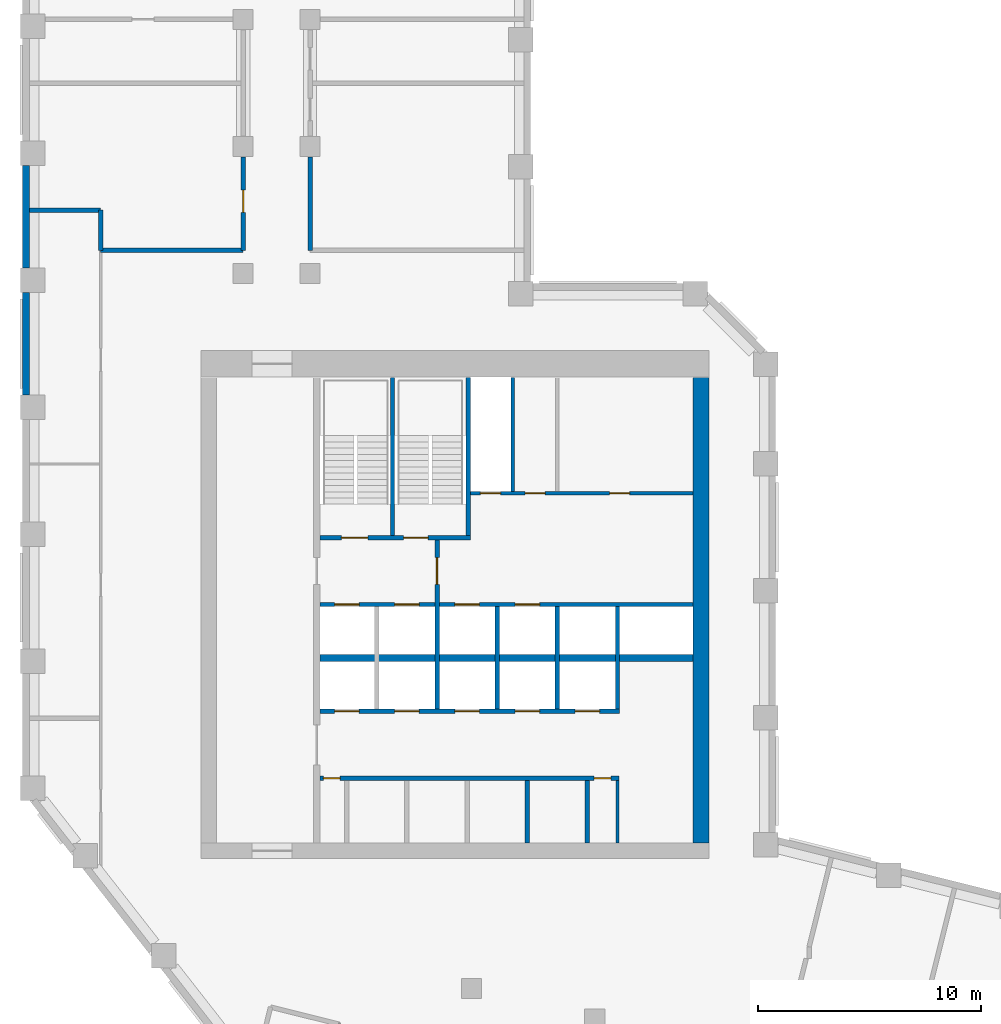
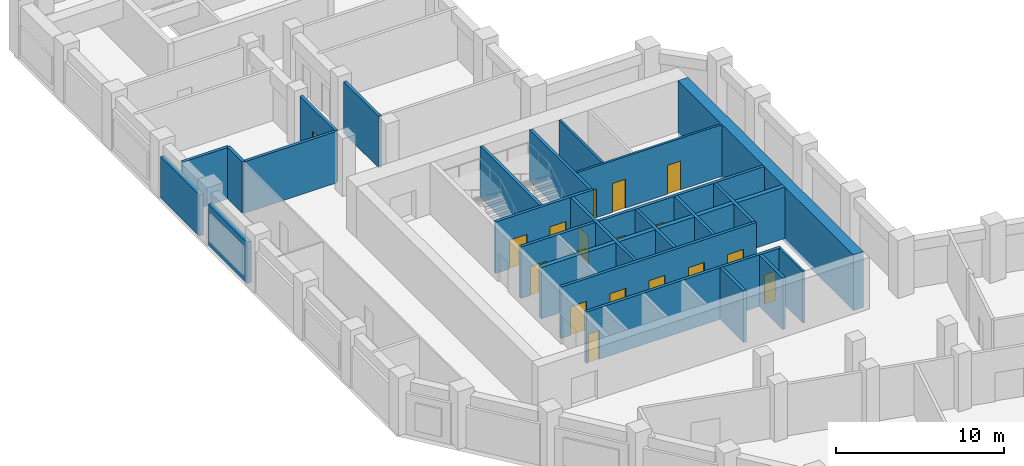
# One storey, part 4 of 8: 24 walls, 18 doors, 18 openings.
"""IFC4 building model written with IfcOpenShell, lengths in metres."""

from ifc_helpers import new_model, si_unit, direction, frame, frame_2d, origin, place, context, subcontext, project, spatial, rectangle, extrude, material, layer, layer_set, type_object, element, fill, save


model = new_model("IFC4")

# Units and contexts
model_context = context("Model", 3, precision=1e-05, world=origin(), true_north=direction((0.0, 1.0)))
body_context = subcontext(model_context, "Body", "Model", "MODEL_VIEW")
ifc_project = project(units=[si_unit("LENGTHUNIT", "METRE"), si_unit("AREAUNIT", "SQUARE_METRE"), si_unit("VOLUMEUNIT", "CUBIC_METRE"), si_unit("PLANEANGLEUNIT", "RADIAN"), si_unit("MASSUNIT", "GRAM", prefix="KILO")], contexts=[model_context])

# Site, building, storey
site_placement = place(None, origin())
site = spatial("IfcSite", under=ifc_project, at=site_placement, CompositionType="ELEMENT")
building_placement = place(site_placement, origin())
building = spatial("IfcBuilding", under=site, at=building_placement, Name="Meshkara Civic Tower", CompositionType="ELEMENT")
storey_placement = place(building_placement, frame((0.0, 0.0, 280.199951171875)))
storey = spatial("IfcBuildingStorey", under=building, at=storey_placement, Name="L64", CompositionType="ELEMENT", Elevation=280.199951171875)

# Wall, openings, doors
ifc_material_1 = material(Name="Blockwork", Category="masonry")
ifc_layer_1 = layer(ifc_material_1, 0.14990234375)
ifc_layer_set_1 = layer_set([ifc_layer_1], Name="Core partition 150")
wall_type_1 = type_object("IfcWallType", Name="Core partition 150", PredefinedType="PARTITIONING", material=ifc_layer_set_1)
wall_1_placement = place(storey_placement, frame((20.10009765625, 30.5, 0.0), z_axis=(0.0, 0.0, 1.0), x_axis=(1.0, 0.0, 0.0)))
wall_1 = element("IfcWall", 1, at=wall_1_placement, inside=storey, type_object=wall_type_1, Name="L64-C010", PredefinedType="PARTITIONING", context=body_context, shape_type="SweptSolid", body=[
    extrude(rectangle(XDim=10.0, YDim=0.14990234375, at=frame_2d((5.0, 0.0))), origin(), (0.0, 0.0, 1.0), 3.75),
])
opening_1_placement = place(wall_1_placement, frame((0.449951171875, 0.0, 0.0)))
opening_1 = element("IfcOpeningElement", 2, at=opening_1_placement, cuts=wall_1, Name="Opening L64-K012", PredefinedType="OPENING", context=body_context, shape_type="SweptSolid", body=[
    extrude(rectangle(XDim=0.89990234375, YDim=2.10009765625, at=frame_2d((0.449951171875, 1.050048828125))), frame((0.0, 0.0849609375, 0.0), z_axis=(0.0, -1.0, 0.0), x_axis=(1.0, 0.0, 0.0)), (0.0, 0.0, 1.0), 0.169921875),
])
opening_2_placement = place(wall_1_placement, frame((2.449951171875, 0.0, 0.0)))
opening_2 = element("IfcOpeningElement", 3, at=opening_2_placement, cuts=wall_1, Name="Opening L64-K013", PredefinedType="OPENING", context=body_context, shape_type="SweptSolid", body=[
    extrude(rectangle(XDim=0.89990234375, YDim=2.10009765625, at=frame_2d((0.449951171875, 1.050048828125))), frame((0.0, 0.0849609375, 0.0), z_axis=(0.0, -1.0, 0.0), x_axis=(1.0, 0.0, 0.0)), (0.0, 0.0, 1.0), 0.169921875),
])
opening_3_placement = place(wall_1_placement, frame((6.25, 0.0, 0.0)))
opening_3 = element("IfcOpeningElement", 4, at=opening_3_placement, cuts=wall_1, Name="Opening L64-K014", PredefinedType="OPENING", context=body_context, shape_type="SweptSolid", body=[
    extrude(rectangle(XDim=0.89990234375, YDim=2.10009765625, at=frame_2d((0.449951171875, 1.050048828125))), frame((0.0, 0.0849609375, 0.0), z_axis=(0.0, -1.0, 0.0), x_axis=(1.0, 0.0, 0.0)), (0.0, 0.0, 1.0), 0.169921875),
])
ifc_material_2 = material(Name="Timber door leaf in steel frame", Category="steel")
door_type_1 = type_object("IfcDoorType", Name="Core room door 900", OperationType="SINGLE_SWING_LEFT", PredefinedType="DOOR", material=ifc_material_2)
door_1_placement = place(opening_3_placement, origin())
door_1 = element("IfcDoor", 5, at=door_1_placement, inside=storey, type_object=door_type_1, Name="L64-K014", OperationType="SINGLE_SWING_RIGHT", OverallHeight=2.10009765625, OverallWidth=0.89990234375, PredefinedType="DOOR", context=body_context, shape_type="SweptSolid", body=[
    extrude(rectangle(XDim=0.89990234375, YDim=2.10009765625, at=frame_2d((0.449951171875, 1.050048828125))), frame((0.0, 0.02490234375, 0.0), z_axis=(0.0, -1.0, 0.0), x_axis=(1.0, 0.0, 0.0)), (0.0, 0.0, 1.0), 0.050048828125),
])
fill(opening_3, door_1)
ifc_material_3 = material(Name="Fire-rated door leaf in steel frame", Category="steel")
door_type_2 = type_object("IfcDoorType", Name="Riser door 900", OperationType="SINGLE_SWING_LEFT", PredefinedType="DOOR", material=ifc_material_3)
door_2_placement = place(opening_1_placement, origin())
door_2 = element("IfcDoor", 6, at=door_2_placement, inside=storey, type_object=door_type_2, Name="L64-K012", OperationType="SINGLE_SWING_RIGHT", OverallHeight=2.10009765625, OverallWidth=0.89990234375, PredefinedType="DOOR", context=body_context, shape_type="SweptSolid", body=[
    extrude(rectangle(XDim=0.89990234375, YDim=2.10009765625, at=frame_2d((0.449951171875, 1.050048828125))), frame((0.0, 0.02490234375, 0.0), z_axis=(0.0, -1.0, 0.0), x_axis=(1.0, 0.0, 0.0)), (0.0, 0.0, 1.0), 0.050048828125),
])
fill(opening_1, door_2)
ifc_material_4 = material(Name="Timber door leaf in steel frame", Category="steel")
door_type_3 = type_object("IfcDoorType", Name="WC door 900", OperationType="SINGLE_SWING_LEFT", PredefinedType="DOOR", material=ifc_material_4)
door_3_placement = place(opening_2_placement, origin())
door_3 = element("IfcDoor", 7, at=door_3_placement, inside=storey, type_object=door_type_3, Name="L64-K013", OperationType="SINGLE_SWING_LEFT", OverallHeight=2.10009765625, OverallWidth=0.89990234375, PredefinedType="DOOR", context=body_context, shape_type="SweptSolid", body=[
    extrude(rectangle(XDim=0.89990234375, YDim=2.10009765625, at=frame_2d((0.449951171875, 1.050048828125))), frame((0.0, 0.02490234375, 0.0), z_axis=(0.0, -1.0, 0.0), x_axis=(1.0, 0.0, 0.0)), (0.0, 0.0, 1.0), 0.050048828125),
])
fill(opening_2, door_3)

# Walls
wall_2_placement = place(storey_placement, frame((22.0, 30.574951171875, 0.0), z_axis=(0.0, 0.0, 1.0), x_axis=(0.0, 1.0, 0.0)))
element("IfcWall", 8, at=wall_2_placement, inside=storey, type_object=wall_type_1, Name="L64-C020", PredefinedType="PARTITIONING", context=body_context, shape_type="SweptSolid", body=[
    extrude(rectangle(XDim=5.125, YDim=0.14990234375, at=frame_2d((2.5625, 0.0))), origin(), (0.0, 0.0, 1.0), 3.75),
])
wall_3_placement = place(storey_placement, frame((26.699951171875, 14.800048828125, 0.0), z_axis=(0.0, 0.0, 1.0), x_axis=(0.0, 1.0, 0.0)))
element("IfcWall", 9, at=wall_3_placement, inside=storey, type_object=wall_type_1, Name="L64-C025", PredefinedType="PARTITIONING", context=body_context, shape_type="SweptSolid", body=[
    extrude(rectangle(XDim=2.800048828125, YDim=0.14990234375, at=frame_2d((1.39990234375, 0.0))), origin(), (0.0, 0.0, 1.0), 3.75),
])
ifc_material_5 = material(Name="Concrete C60", Category="concrete")
ifc_layer_2 = layer(ifc_material_5, 0.699951171875)
ifc_layer_set_2 = layer_set([ifc_layer_2], Name="Core ring wall 700 C60")
wall_type_2 = type_object("IfcWallType", Name="Core ring wall 700 C60", PredefinedType="SHEAR", material=ifc_layer_set_2)
wall_4_placement = place(storey_placement, frame((30.449951171875, 14.800048828125, -0.300048828125), z_axis=(0.0, 0.0, 1.0), x_axis=(0.0, 1.0, 0.0)))
element("IfcWall", 10, at=wall_4_placement, inside=storey, type_object=wall_type_2, Name="L64-C004", PredefinedType="SHEAR", context=body_context, shape_type="SweptSolid", body=[
    extrude(rectangle(XDim=20.89990234375, YDim=0.699951171875, at=frame_2d((10.449951171875, 0.0))), origin(), (0.0, 0.0, 1.0), 4.050048828125),
])
ifc_material_6 = material(Name="Concrete C60", Category="concrete")
ifc_layer_3 = layer(ifc_material_6, 0.300048828125)
ifc_layer_set_3 = layer_set([ifc_layer_3], Name="Core shear wall 300 C60")
wall_type_3 = type_object("IfcWallType", Name="Core shear wall 300 C60", PredefinedType="SHEAR", material=ifc_layer_set_3)
wall_5_placement = place(storey_placement, frame((13.35009765625, 23.10009765625, 0.0), z_axis=(0.0, 0.0, 1.0), x_axis=(1.0, 0.0, 0.0)))
element("IfcWall", 11, at=wall_5_placement, inside=storey, type_object=wall_type_3, Name="L64-C007", PredefinedType="SHEAR", context=body_context, shape_type="SweptSolid", body=[
    extrude(rectangle(XDim=16.75, YDim=0.300048828125, at=frame_2d((8.375, 0.0))), origin(), (0.0, 0.0, 1.0), 3.75),
])
ifc_material_7 = material(Name="Insulated infill panel with bronze anodised aluminium cladding", Category="aluminium")
ifc_layer_4 = layer(ifc_material_7, 0.300048828125)
ifc_layer_set_4 = layer_set([ifc_layer_4], Name="EXTERNAL INFILL WALL 300")
wall_type_4 = type_object("IfcWallType", Name="EXTERNAL INFILL WALL 300", PredefinedType="SOLIDWALL", material=ifc_layer_set_4)
wall_6_placement = place(storey_placement, frame((0.14990234375, 45.205078125, 0.0), z_axis=(0.0, 0.0, 1.0), x_axis=(0.0, -1.0, 0.0)))
element("IfcWall", 12, at=wall_6_placement, inside=storey, type_object=wall_type_4, Name="External wall", PredefinedType="SOLIDWALL", context=body_context, shape_type="SweptSolid", body=[
    extrude(rectangle(XDim=4.60009765625, YDim=0.300048828125, at=frame_2d((2.300048828125, 0.0))), origin(), (0.0, 0.0, 1.0), 3.0),
])
wall_7_placement = place(storey_placement, frame((0.14990234375, 39.5048828125, 0.0), z_axis=(0.0, 0.0, 1.0), x_axis=(0.0, -1.0, 0.0)))
element("IfcWall", 13, at=wall_7_placement, inside=storey, type_object=wall_type_4, Name="External wall", PredefinedType="SOLIDWALL", context=body_context, shape_type="SweptSolid", body=[
    extrude(rectangle(XDim=4.599853515625, YDim=0.300048828125, at=frame_2d((2.2998046875, 0.0))), origin(), (0.0, 0.0, 1.0), 3.0),
])
ifc_material_8 = material(Name="Fire-rated wall 200")
ifc_layer_5 = layer(ifc_material_8, 0.199951171875)
ifc_layer_set_5 = layer_set([ifc_layer_5], Name="Fire-rated wall 200")
wall_type_5 = type_object("IfcWallType", Name="Fire-rated wall 200", PredefinedType="PARTITIONING", material=ifc_layer_set_5)
wall_8_placement = place(storey_placement, frame((9.89990234375, 41.39990234375, 0.0), z_axis=(0.0, 0.0, 1.0), x_axis=(-1.0, 0.0, 0.0)))
element("IfcWall", 14, at=wall_8_placement, inside=storey, type_object=wall_type_5, Name="L64-R003", PredefinedType="PARTITIONING", context=body_context, shape_type="SweptSolid", body=[
    extrude(rectangle(XDim=6.39990234375, YDim=0.199951171875, at=frame_2d((3.199951171875, 0.0))), origin(), (0.0, 0.0, 1.0), 3.75),
])

# Wall, opening, door
wall_9_placement = place(storey_placement, frame((9.89990234375, 45.580078125, 0.0), z_axis=(0.0, 0.0, 1.0), x_axis=(0.0, -1.0, 0.0)))
wall_9 = element("IfcWall", 15, at=wall_9_placement, inside=storey, type_object=wall_type_5, Name="L64-R004", PredefinedType="PARTITIONING", context=body_context, shape_type="SweptSolid", body=[
    extrude(rectangle(XDim=4.18017578125, YDim=0.199951171875, at=frame_2d((2.090087890625, 0.0))), origin(), (0.0, 0.0, 1.0), 3.75),
])
opening_4_placement = place(wall_9_placement, frame((1.47998046875, 0.0, 0.0)))
opening_4 = element("IfcOpeningElement", 16, at=opening_4_placement, cuts=wall_9, Name="Opening L64-P014", PredefinedType="OPENING", context=body_context, shape_type="SweptSolid", body=[
    extrude(rectangle(XDim=1.0, YDim=2.10009765625, at=frame_2d((0.5, 1.050048828125))), frame((0.0, 0.10986328125, 0.0), z_axis=(0.0, -1.0, 0.0), x_axis=(1.0, 0.0, 0.0)), (0.0, 0.0, 1.0), 0.219970703125),
])
ifc_material_9 = material(Name="Door 1000 x 2100")
door_type_4 = type_object("IfcDoorType", Name="Door 1000 x 2100", OperationType="SINGLE_SWING_LEFT", PredefinedType="DOOR", material=ifc_material_9)
door_4_placement = place(opening_4_placement, origin())
door_4 = element("IfcDoor", 17, at=door_4_placement, inside=storey, type_object=door_type_4, Name="L64-P014", OperationType="SINGLE_SWING_RIGHT", OverallHeight=2.10009765625, OverallWidth=1.0, PredefinedType="DOOR", context=body_context, shape_type="SweptSolid", body=[
    extrude(rectangle(XDim=1.0, YDim=2.10009765625, at=frame_2d((0.5, 1.050048828125))), frame((0.0, 0.02490234375, 0.0), z_axis=(0.0, -1.0, 0.0), x_axis=(1.0, 0.0, 0.0)), (0.0, 0.0, 1.0), 0.050048828125),
])
fill(opening_4, door_4)

# Walls
wall_10_placement = place(storey_placement, frame((12.89990234375, 41.39990234375, 0.0), z_axis=(0.0, 0.0, 1.0), x_axis=(0.0, 1.0, 0.0)))
element("IfcWall", 18, at=wall_10_placement, inside=storey, type_object=wall_type_5, Name="L64-R008", PredefinedType="PARTITIONING", context=body_context, shape_type="SweptSolid", body=[
    extrude(rectangle(XDim=4.18017578125, YDim=0.199951171875, at=frame_2d((2.090087890625, 0.0))), origin(), (0.0, 0.0, 1.0), 3.75),
])
wall_11_placement = place(storey_placement, frame((0.300048828125, 43.199951171875, 0.0), z_axis=(0.0, 0.0, 1.0), x_axis=(1.0, 0.0, 0.0)))
element("IfcWall", 19, at=wall_11_placement, inside=storey, type_object=wall_type_5, Name="L64-R029", PredefinedType="PARTITIONING", context=body_context, shape_type="SweptSolid", body=[
    extrude(rectangle(XDim=3.199951171875, YDim=0.199951171875, at=frame_2d((1.60009765625, 0.0))), origin(), (0.0, 0.0, 1.0), 3.75),
])
wall_12_placement = place(storey_placement, frame((3.5, 43.199951171875, 0.0), z_axis=(0.0, 0.0, 1.0), x_axis=(0.0, -1.0, 0.0)))
element("IfcWall", 20, at=wall_12_placement, inside=storey, type_object=wall_type_5, Name="L64-R032", PredefinedType="PARTITIONING", context=body_context, shape_type="SweptSolid", body=[
    extrude(rectangle(XDim=1.803955078125, YDim=0.199951171875, at=frame_2d((0.90185546875, 0.0))), origin(), (0.0, 0.0, 1.0), 3.75),
])

# Wall, openings, doors
ifc_material_10 = material(Name="Concrete C40/50", Category="concrete")
ifc_layer_6 = layer(ifc_material_10, 0.199951171875)
ifc_layer_set_6 = layer_set([ifc_layer_6], Name="Shaft wall 200 C40/50")
wall_type_6 = type_object("IfcWallType", Name="Shaft wall 200 C40/50", PredefinedType="SOLIDWALL", material=ifc_layer_set_6)
wall_13_placement = place(storey_placement, frame((13.35009765625, 17.699951171875, 0.0), z_axis=(0.0, 0.0, 1.0), x_axis=(1.0, 0.0, 0.0)))
wall_13 = element("IfcWall", 21, at=wall_13_placement, inside=storey, type_object=wall_type_6, Name="L64-C005", PredefinedType="SOLIDWALL", context=body_context, shape_type="SweptSolid", body=[
    extrude(rectangle(XDim=13.4248046875, YDim=0.199951171875, at=frame_2d((6.71240234375, 0.0))), origin(), (0.0, 0.0, 1.0), 3.75),
])
opening_5_placement = place(wall_13_placement, frame((0.14990234375, 0.0, 0.0)))
opening_5 = element("IfcOpeningElement", 22, at=opening_5_placement, cuts=wall_13, Name="Opening L64-K010", PredefinedType="OPENING", context=body_context, shape_type="SweptSolid", body=[
    extrude(rectangle(XDim=0.75, YDim=2.10009765625, at=frame_2d((0.375, 1.050048828125))), frame((0.0, 0.10986328125, 0.0), z_axis=(0.0, -1.0, 0.0), x_axis=(1.0, 0.0, 0.0)), (0.0, 0.0, 1.0), 0.219970703125),
])
opening_6_placement = place(wall_13_placement, frame((12.300048828125, 0.0, 0.0)))
opening_6 = element("IfcOpeningElement", 23, at=opening_6_placement, cuts=wall_13, Name="Opening L64-K011", PredefinedType="OPENING", context=body_context, shape_type="SweptSolid", body=[
    extrude(rectangle(XDim=0.75, YDim=2.10009765625, at=frame_2d((0.375, 1.050048828125))), frame((0.0, 0.10986328125, 0.0), z_axis=(0.0, -1.0, 0.0), x_axis=(1.0, 0.0, 0.0)), (0.0, 0.0, 1.0), 0.219970703125),
])
ifc_material_11 = material(Name="Timber door leaf in steel frame", Category="steel")
door_type_5 = type_object("IfcDoorType", Name="Core room door 750", OperationType="SINGLE_SWING_LEFT", PredefinedType="DOOR", material=ifc_material_11)
door_5_placement = place(opening_5_placement, origin())
door_5 = element("IfcDoor", 24, at=door_5_placement, inside=storey, type_object=door_type_5, Name="L64-K010", OperationType="SINGLE_SWING_RIGHT", OverallHeight=2.10009765625, OverallWidth=0.75, PredefinedType="DOOR", context=body_context, shape_type="SweptSolid", body=[
    extrude(rectangle(XDim=0.75, YDim=2.10009765625, at=frame_2d((0.375, 1.050048828125))), frame((0.0, 0.02490234375, 0.0), z_axis=(0.0, -1.0, 0.0), x_axis=(1.0, 0.0, 0.0)), (0.0, 0.0, 1.0), 0.050048828125),
])
fill(opening_5, door_5)
door_6_placement = place(opening_6_placement, origin())
door_6 = element("IfcDoor", 25, at=door_6_placement, inside=storey, type_object=door_type_5, Name="L64-K011", OperationType="SINGLE_SWING_RIGHT", OverallHeight=2.10009765625, OverallWidth=0.75, PredefinedType="DOOR", context=body_context, shape_type="SweptSolid", body=[
    extrude(rectangle(XDim=0.75, YDim=2.10009765625, at=frame_2d((0.375, 1.050048828125))), frame((0.0, 0.02490234375, 0.0), z_axis=(0.0, -1.0, 0.0), x_axis=(1.0, 0.0, 0.0)), (0.0, 0.0, 1.0), 0.050048828125),
])
fill(opening_6, door_6)

wall_14_placement = place(storey_placement, frame((13.35009765625, 20.699951171875, 0.0), z_axis=(0.0, 0.0, 1.0), x_axis=(1.0, 0.0, 0.0)))
wall_14 = element("IfcWall", 26, at=wall_14_placement, inside=storey, type_object=wall_type_6, Name="L64-C006", PredefinedType="SOLIDWALL", context=body_context, shape_type="SweptSolid", body=[
    extrude(rectangle(XDim=13.449951171875, YDim=0.199951171875, at=frame_2d((6.72509765625, 0.0))), origin(), (0.0, 0.0, 1.0), 3.75),
])
opening_7_placement = place(wall_14_placement, frame((0.64990234375, 0.0, 0.0)))
opening_7 = element("IfcOpeningElement", 27, at=opening_7_placement, cuts=wall_14, Name="Opening L64-K001", PredefinedType="OPENING", context=body_context, shape_type="SweptSolid", body=[
    extrude(rectangle(XDim=1.10009765625, YDim=2.10009765625, at=frame_2d((0.550048828125, 1.050048828125))), frame((0.0, 0.10986328125, 0.0), z_axis=(0.0, -1.0, 0.0), x_axis=(1.0, 0.0, 0.0)), (0.0, 0.0, 1.0), 0.219970703125),
])
opening_8_placement = place(wall_14_placement, frame((3.35009765625, 0.0, 0.0)))
opening_8 = element("IfcOpeningElement", 28, at=opening_8_placement, cuts=wall_14, Name="Opening L64-K002", PredefinedType="OPENING", context=body_context, shape_type="SweptSolid", body=[
    extrude(rectangle(XDim=1.10009765625, YDim=2.10009765625, at=frame_2d((0.550048828125, 1.050048828125))), frame((0.0, 0.10986328125, 0.0), z_axis=(0.0, -1.0, 0.0), x_axis=(1.0, 0.0, 0.0)), (0.0, 0.0, 1.0), 0.219970703125),
])
opening_9_placement = place(wall_14_placement, frame((6.050048828125, 0.0, 0.0)))
opening_9 = element("IfcOpeningElement", 29, at=opening_9_placement, cuts=wall_14, Name="Opening L64-K003", PredefinedType="OPENING", context=body_context, shape_type="SweptSolid", body=[
    extrude(rectangle(XDim=1.10009765625, YDim=2.10009765625, at=frame_2d((0.550048828125, 1.050048828125))), frame((0.0, 0.10986328125, 0.0), z_axis=(0.0, -1.0, 0.0), x_axis=(1.0, 0.0, 0.0)), (0.0, 0.0, 1.0), 0.219970703125),
])
opening_10_placement = place(wall_14_placement, frame((8.75, 0.0, 0.0)))
opening_10 = element("IfcOpeningElement", 30, at=opening_10_placement, cuts=wall_14, Name="Opening L64-K004", PredefinedType="OPENING", context=body_context, shape_type="SweptSolid", body=[
    extrude(rectangle(XDim=1.10009765625, YDim=2.10009765625, at=frame_2d((0.550048828125, 1.050048828125))), frame((0.0, 0.10986328125, 0.0), z_axis=(0.0, -1.0, 0.0), x_axis=(1.0, 0.0, 0.0)), (0.0, 0.0, 1.0), 0.219970703125),
])
opening_11_placement = place(wall_14_placement, frame((11.449951171875, 0.0, 0.0)))
opening_11 = element("IfcOpeningElement", 31, at=opening_11_placement, cuts=wall_14, Name="Opening L64-K005", PredefinedType="OPENING", context=body_context, shape_type="SweptSolid", body=[
    extrude(rectangle(XDim=1.10009765625, YDim=2.10009765625, at=frame_2d((0.550048828125, 1.050048828125))), frame((0.0, 0.10986328125, 0.0), z_axis=(0.0, -1.0, 0.0), x_axis=(1.0, 0.0, 0.0)), (0.0, 0.0, 1.0), 0.219970703125),
])
ifc_material_12 = material(Name="Stainless steel landing door", Category="steel")
door_type_6 = type_object("IfcDoorType", Name="Lift landing door 1100", OperationType="SLIDING_TO_LEFT", PredefinedType="DOOR", material=ifc_material_12)
door_7_placement = place(opening_7_placement, origin())
door_7 = element("IfcDoor", 32, at=door_7_placement, inside=storey, type_object=door_type_6, Name="L64-K001", OperationType="SLIDING_TO_LEFT", OverallHeight=2.10009765625, OverallWidth=1.10009765625, PredefinedType="DOOR", context=body_context, shape_type="SweptSolid", body=[
    extrude(rectangle(XDim=1.10009765625, YDim=2.10009765625, at=frame_2d((0.550048828125, 1.050048828125))), frame((0.0, 0.02490234375, 0.0), z_axis=(0.0, -1.0, 0.0), x_axis=(1.0, 0.0, 0.0)), (0.0, 0.0, 1.0), 0.050048828125),
])
fill(opening_7, door_7)
door_8_placement = place(opening_8_placement, origin())
door_8 = element("IfcDoor", 33, at=door_8_placement, inside=storey, type_object=door_type_6, Name="L64-K002", OperationType="SLIDING_TO_LEFT", OverallHeight=2.10009765625, OverallWidth=1.10009765625, PredefinedType="DOOR", context=body_context, shape_type="SweptSolid", body=[
    extrude(rectangle(XDim=1.10009765625, YDim=2.10009765625, at=frame_2d((0.550048828125, 1.050048828125))), frame((0.0, 0.02490234375, 0.0), z_axis=(0.0, -1.0, 0.0), x_axis=(1.0, 0.0, 0.0)), (0.0, 0.0, 1.0), 0.050048828125),
])
fill(opening_8, door_8)
door_9_placement = place(opening_9_placement, origin())
door_9 = element("IfcDoor", 34, at=door_9_placement, inside=storey, type_object=door_type_6, Name="L64-K003", OperationType="SLIDING_TO_LEFT", OverallHeight=2.10009765625, OverallWidth=1.10009765625, PredefinedType="DOOR", context=body_context, shape_type="SweptSolid", body=[
    extrude(rectangle(XDim=1.10009765625, YDim=2.10009765625, at=frame_2d((0.550048828125, 1.050048828125))), frame((0.0, 0.02490234375, 0.0), z_axis=(0.0, -1.0, 0.0), x_axis=(1.0, 0.0, 0.0)), (0.0, 0.0, 1.0), 0.050048828125),
])
fill(opening_9, door_9)
door_10_placement = place(opening_10_placement, origin())
door_10 = element("IfcDoor", 35, at=door_10_placement, inside=storey, type_object=door_type_6, Name="L64-K004", OperationType="SLIDING_TO_LEFT", OverallHeight=2.10009765625, OverallWidth=1.10009765625, PredefinedType="DOOR", context=body_context, shape_type="SweptSolid", body=[
    extrude(rectangle(XDim=1.10009765625, YDim=2.10009765625, at=frame_2d((0.550048828125, 1.050048828125))), frame((0.0, 0.02490234375, 0.0), z_axis=(0.0, -1.0, 0.0), x_axis=(1.0, 0.0, 0.0)), (0.0, 0.0, 1.0), 0.050048828125),
])
fill(opening_10, door_10)
door_11_placement = place(opening_11_placement, origin())
door_11 = element("IfcDoor", 36, at=door_11_placement, inside=storey, type_object=door_type_6, Name="L64-K005", OperationType="SLIDING_TO_LEFT", OverallHeight=2.10009765625, OverallWidth=1.10009765625, PredefinedType="DOOR", context=body_context, shape_type="SweptSolid", body=[
    extrude(rectangle(XDim=1.10009765625, YDim=2.10009765625, at=frame_2d((0.550048828125, 1.050048828125))), frame((0.0, 0.02490234375, 0.0), z_axis=(0.0, -1.0, 0.0), x_axis=(1.0, 0.0, 0.0)), (0.0, 0.0, 1.0), 0.050048828125),
])
fill(opening_11, door_11)

wall_15_placement = place(storey_placement, frame((13.35009765625, 25.5, 0.0), z_axis=(0.0, 0.0, 1.0), x_axis=(1.0, 0.0, 0.0)))
wall_15 = element("IfcWall", 37, at=wall_15_placement, inside=storey, type_object=wall_type_6, Name="L64-C008", PredefinedType="SOLIDWALL", context=body_context, shape_type="SweptSolid", body=[
    extrude(rectangle(XDim=16.75, YDim=0.199951171875, at=frame_2d((8.375, 0.0))), origin(), (0.0, 0.0, 1.0), 3.75),
])
opening_12_placement = place(wall_15_placement, frame((0.64990234375, 0.0, 0.0)))
opening_12 = element("IfcOpeningElement", 38, at=opening_12_placement, cuts=wall_15, Name="Opening L64-K006", PredefinedType="OPENING", context=body_context, shape_type="SweptSolid", body=[
    extrude(rectangle(XDim=1.10009765625, YDim=2.10009765625, at=frame_2d((0.550048828125, 1.050048828125))), frame((0.0, 0.10986328125, 0.0), z_axis=(0.0, -1.0, 0.0), x_axis=(1.0, 0.0, 0.0)), (0.0, 0.0, 1.0), 0.219970703125),
])
opening_13_placement = place(wall_15_placement, frame((3.35009765625, 0.0, 0.0)))
opening_13 = element("IfcOpeningElement", 39, at=opening_13_placement, cuts=wall_15, Name="Opening L64-K007", PredefinedType="OPENING", context=body_context, shape_type="SweptSolid", body=[
    extrude(rectangle(XDim=1.10009765625, YDim=2.10009765625, at=frame_2d((0.550048828125, 1.050048828125))), frame((0.0, 0.10986328125, 0.0), z_axis=(0.0, -1.0, 0.0), x_axis=(1.0, 0.0, 0.0)), (0.0, 0.0, 1.0), 0.219970703125),
])
opening_14_placement = place(wall_15_placement, frame((6.050048828125, 0.0, 0.0)))
opening_14 = element("IfcOpeningElement", 40, at=opening_14_placement, cuts=wall_15, Name="Opening L64-K008", PredefinedType="OPENING", context=body_context, shape_type="SweptSolid", body=[
    extrude(rectangle(XDim=1.10009765625, YDim=2.10009765625, at=frame_2d((0.550048828125, 1.050048828125))), frame((0.0, 0.10986328125, 0.0), z_axis=(0.0, -1.0, 0.0), x_axis=(1.0, 0.0, 0.0)), (0.0, 0.0, 1.0), 0.219970703125),
])
opening_15_placement = place(wall_15_placement, frame((8.75, 0.0, 0.0)))
opening_15 = element("IfcOpeningElement", 41, at=opening_15_placement, cuts=wall_15, Name="Opening L64-K009", PredefinedType="OPENING", context=body_context, shape_type="SweptSolid", body=[
    extrude(rectangle(XDim=1.10009765625, YDim=2.10009765625, at=frame_2d((0.550048828125, 1.050048828125))), frame((0.0, 0.10986328125, 0.0), z_axis=(0.0, -1.0, 0.0), x_axis=(1.0, 0.0, 0.0)), (0.0, 0.0, 1.0), 0.219970703125),
])
door_12_placement = place(opening_12_placement, origin())
door_12 = element("IfcDoor", 42, at=door_12_placement, inside=storey, type_object=door_type_6, Name="L64-K006", OperationType="SLIDING_TO_LEFT", OverallHeight=2.10009765625, OverallWidth=1.10009765625, PredefinedType="DOOR", context=body_context, shape_type="SweptSolid", body=[
    extrude(rectangle(XDim=1.10009765625, YDim=2.10009765625, at=frame_2d((0.550048828125, 1.050048828125))), frame((0.0, 0.02490234375, 0.0), z_axis=(0.0, -1.0, 0.0), x_axis=(1.0, 0.0, 0.0)), (0.0, 0.0, 1.0), 0.050048828125),
])
fill(opening_12, door_12)
door_13_placement = place(opening_13_placement, origin())
door_13 = element("IfcDoor", 43, at=door_13_placement, inside=storey, type_object=door_type_6, Name="L64-K007", OperationType="SLIDING_TO_LEFT", OverallHeight=2.10009765625, OverallWidth=1.10009765625, PredefinedType="DOOR", context=body_context, shape_type="SweptSolid", body=[
    extrude(rectangle(XDim=1.10009765625, YDim=2.10009765625, at=frame_2d((0.550048828125, 1.050048828125))), frame((0.0, 0.02490234375, 0.0), z_axis=(0.0, -1.0, 0.0), x_axis=(1.0, 0.0, 0.0)), (0.0, 0.0, 1.0), 0.050048828125),
])
fill(opening_13, door_13)
door_14_placement = place(opening_14_placement, origin())
door_14 = element("IfcDoor", 44, at=door_14_placement, inside=storey, type_object=door_type_6, Name="L64-K008", OperationType="SLIDING_TO_LEFT", OverallHeight=2.10009765625, OverallWidth=1.10009765625, PredefinedType="DOOR", context=body_context, shape_type="SweptSolid", body=[
    extrude(rectangle(XDim=1.10009765625, YDim=2.10009765625, at=frame_2d((0.550048828125, 1.050048828125))), frame((0.0, 0.02490234375, 0.0), z_axis=(0.0, -1.0, 0.0), x_axis=(1.0, 0.0, 0.0)), (0.0, 0.0, 1.0), 0.050048828125),
])
fill(opening_14, door_14)
door_15_placement = place(opening_15_placement, origin())
door_15 = element("IfcDoor", 45, at=door_15_placement, inside=storey, type_object=door_type_6, Name="L64-K009", OperationType="SLIDING_TO_LEFT", OverallHeight=2.10009765625, OverallWidth=1.10009765625, PredefinedType="DOOR", context=body_context, shape_type="SweptSolid", body=[
    extrude(rectangle(XDim=1.10009765625, YDim=2.10009765625, at=frame_2d((0.550048828125, 1.050048828125))), frame((0.0, 0.02490234375, 0.0), z_axis=(0.0, -1.0, 0.0), x_axis=(1.0, 0.0, 0.0)), (0.0, 0.0, 1.0), 0.050048828125),
])
fill(opening_15, door_15)

# Wall, opening, door
wall_16_placement = place(storey_placement, frame((18.60009765625, 20.800048828125, 0.0), z_axis=(0.0, 0.0, 1.0), x_axis=(0.0, 1.0, 0.0)))
wall_16 = element("IfcWall", 46, at=wall_16_placement, inside=storey, type_object=wall_type_6, Name="L64-C016", PredefinedType="SOLIDWALL", context=body_context, shape_type="SweptSolid", body=[
    extrude(rectangle(XDim=7.599853515625, YDim=0.199951171875, at=frame_2d((3.7998046875, 0.0))), origin(), (0.0, 0.0, 1.0), 3.75),
])
opening_16_placement = place(wall_16_placement, frame((5.60009765625, 0.0, 0.0)))
opening_16 = element("IfcOpeningElement", 47, at=opening_16_placement, cuts=wall_16, Name="Opening L64-K019", PredefinedType="OPENING", context=body_context, shape_type="SweptSolid", body=[
    extrude(rectangle(XDim=1.199951171875, YDim=2.10009765625, at=frame_2d((0.60009765625, 1.050048828125))), frame((0.0, 0.10986328125, 0.0), z_axis=(0.0, -1.0, 0.0), x_axis=(1.0, 0.0, 0.0)), (0.0, 0.0, 1.0), 0.219970703125),
])
ifc_material_13 = material(Name="Fire-rated door leaf in steel frame", Category="steel")
door_type_7 = type_object("IfcDoorType", Name="Fire-fighting lobby door 1200 EI 120", OperationType="SINGLE_SWING_LEFT", PredefinedType="DOOR", material=ifc_material_13)
door_16_placement = place(opening_16_placement, origin())
door_16 = element("IfcDoor", 48, at=door_16_placement, inside=storey, type_object=door_type_7, Name="L64-K019", OperationType="SINGLE_SWING_RIGHT", OverallHeight=2.10009765625, OverallWidth=1.199951171875, PredefinedType="DOOR", context=body_context, shape_type="SweptSolid", body=[
    extrude(rectangle(XDim=1.199951171875, YDim=2.10009765625, at=frame_2d((0.60009765625, 1.050048828125))), frame((0.0, 0.02490234375, 0.0), z_axis=(0.0, -1.0, 0.0), x_axis=(1.0, 0.0, 0.0)), (0.0, 0.0, 1.0), 0.050048828125),
])
fill(opening_16, door_16)

# Walls
wall_17_placement = place(storey_placement, frame((21.300048828125, 20.800048828125, 0.0), z_axis=(0.0, 0.0, 1.0), x_axis=(0.0, 1.0, 0.0)))
element("IfcWall", 49, at=wall_17_placement, inside=storey, type_object=wall_type_6, Name="L64-C019", PredefinedType="SOLIDWALL", context=body_context, shape_type="SweptSolid", body=[
    extrude(rectangle(XDim=4.599853515625, YDim=0.199951171875, at=frame_2d((2.2998046875, 0.0))), origin(), (0.0, 0.0, 1.0), 3.75),
])
wall_18_placement = place(storey_placement, frame((22.64990234375, 14.800048828125, 0.0), z_axis=(0.0, 0.0, 1.0), x_axis=(0.0, 1.0, 0.0)))
element("IfcWall", 50, at=wall_18_placement, inside=storey, type_object=wall_type_6, Name="L64-C021", PredefinedType="SOLIDWALL", context=body_context, shape_type="SweptSolid", body=[
    extrude(rectangle(XDim=2.800048828125, YDim=0.199951171875, at=frame_2d((1.39990234375, 0.0))), origin(), (0.0, 0.0, 1.0), 3.75),
])
wall_19_placement = place(storey_placement, frame((24.0, 20.800048828125, 0.0), z_axis=(0.0, 0.0, 1.0), x_axis=(0.0, 1.0, 0.0)))
element("IfcWall", 51, at=wall_19_placement, inside=storey, type_object=wall_type_6, Name="L64-C022", PredefinedType="SOLIDWALL", context=body_context, shape_type="SweptSolid", body=[
    extrude(rectangle(XDim=4.599853515625, YDim=0.199951171875, at=frame_2d((2.2998046875, 0.0))), origin(), (0.0, 0.0, 1.0), 3.75),
])
wall_20_placement = place(storey_placement, frame((25.35009765625, 14.800048828125, 0.0), z_axis=(0.0, 0.0, 1.0), x_axis=(0.0, 1.0, 0.0)))
element("IfcWall", 52, at=wall_20_placement, inside=storey, type_object=wall_type_6, Name="L64-C024", PredefinedType="SOLIDWALL", context=body_context, shape_type="SweptSolid", body=[
    extrude(rectangle(XDim=2.800048828125, YDim=0.199951171875, at=frame_2d((1.39990234375, 0.0))), origin(), (0.0, 0.0, 1.0), 3.75),
])
wall_21_placement = place(storey_placement, frame((26.699951171875, 20.800048828125, 0.0), z_axis=(0.0, 0.0, 1.0), x_axis=(0.0, 1.0, 0.0)))
element("IfcWall", 53, at=wall_21_placement, inside=storey, type_object=wall_type_6, Name="L64-C026", PredefinedType="SOLIDWALL", context=body_context, shape_type="SweptSolid", body=[
    extrude(rectangle(XDim=4.599853515625, YDim=0.199951171875, at=frame_2d((2.2998046875, 0.0))), origin(), (0.0, 0.0, 1.0), 3.75),
])

# Wall, openings, doors
ifc_material_14 = material(Name="Concrete C40/50", Category="concrete")
ifc_layer_7 = layer(ifc_material_14, 0.199951171875)
ifc_layer_set_7 = layer_set([ifc_layer_7], Name="Stair enclosure wall 200 C40/50")
wall_type_7 = type_object("IfcWallType", Name="Stair enclosure wall 200 C40/50", PredefinedType="SOLIDWALL", material=ifc_layer_set_7)
wall_22_placement = place(storey_placement, frame((13.35009765625, 28.5, 0.0), z_axis=(0.0, 0.0, 1.0), x_axis=(1.0, 0.0, 0.0)))
wall_22 = element("IfcWall", 54, at=wall_22_placement, inside=storey, type_object=wall_type_7, Name="L64-C009", PredefinedType="SOLIDWALL", context=body_context, shape_type="SweptSolid", body=[
    extrude(rectangle(XDim=6.75, YDim=0.199951171875, at=frame_2d((3.375, 0.0))), origin(), (0.0, 0.0, 1.0), 3.75),
])
opening_17_placement = place(wall_22_placement, frame((0.949951171875, 0.0, 0.0)))
opening_17 = element("IfcOpeningElement", 55, at=opening_17_placement, cuts=wall_22, Name="Opening L64-K015", PredefinedType="OPENING", context=body_context, shape_type="SweptSolid", body=[
    extrude(rectangle(XDim=1.199951171875, YDim=2.10009765625, at=frame_2d((0.60009765625, 1.050048828125))), frame((0.0, 0.10986328125, 0.0), z_axis=(0.0, -1.0, 0.0), x_axis=(1.0, 0.0, 0.0)), (0.0, 0.0, 1.0), 0.219970703125),
])
opening_18_placement = place(wall_22_placement, frame((3.75, 0.0, 0.0)))
opening_18 = element("IfcOpeningElement", 56, at=opening_18_placement, cuts=wall_22, Name="Opening L64-K016", PredefinedType="OPENING", context=body_context, shape_type="SweptSolid", body=[
    extrude(rectangle(XDim=1.10009765625, YDim=2.10009765625, at=frame_2d((0.550048828125, 1.050048828125))), frame((0.0, 0.10986328125, 0.0), z_axis=(0.0, -1.0, 0.0), x_axis=(1.0, 0.0, 0.0)), (0.0, 0.0, 1.0), 0.219970703125),
])
ifc_material_15 = material(Name="Fire-rated door leaf in steel frame", Category="steel")
door_type_8 = type_object("IfcDoorType", Name="Stair door 1100 EI 120", OperationType="SINGLE_SWING_LEFT", PredefinedType="DOOR", material=ifc_material_15)
door_17_placement = place(opening_18_placement, origin())
door_17 = element("IfcDoor", 57, at=door_17_placement, inside=storey, type_object=door_type_8, Name="L64-K016", OperationType="SINGLE_SWING_LEFT", OverallHeight=2.10009765625, OverallWidth=1.10009765625, PredefinedType="DOOR", context=body_context, shape_type="SweptSolid", body=[
    extrude(rectangle(XDim=1.10009765625, YDim=2.10009765625, at=frame_2d((0.550048828125, 1.050048828125))), frame((0.0, 0.02490234375, 0.0), z_axis=(0.0, -1.0, 0.0), x_axis=(1.0, 0.0, 0.0)), (0.0, 0.0, 1.0), 0.050048828125),
])
fill(opening_18, door_17)
ifc_material_16 = material(Name="Fire-rated door leaf in steel frame", Category="steel")
door_type_9 = type_object("IfcDoorType", Name="Stair door 1200 EI 120", OperationType="SINGLE_SWING_LEFT", PredefinedType="DOOR", material=ifc_material_16)
door_18_placement = place(opening_17_placement, origin())
door_18 = element("IfcDoor", 58, at=door_18_placement, inside=storey, type_object=door_type_9, Name="L64-K015", OperationType="SINGLE_SWING_RIGHT", OverallHeight=2.10009765625, OverallWidth=1.199951171875, PredefinedType="DOOR", context=body_context, shape_type="SweptSolid", body=[
    extrude(rectangle(XDim=1.199951171875, YDim=2.10009765625, at=frame_2d((0.60009765625, 1.050048828125))), frame((0.0, 0.02490234375, 0.0), z_axis=(0.0, -1.0, 0.0), x_axis=(1.0, 0.0, 0.0)), (0.0, 0.0, 1.0), 0.050048828125),
])
fill(opening_17, door_18)

# Walls
for number, where, z_axis, x_axis, name in (
    (59, (16.60009765625, 28.60009765625, 0.0), (0.0, 0.0, 1.0), (0.0, 1.0, 0.0), "L64-C014"),
    (60, (20.0, 28.60009765625, 0.0), (0.0, 0.0, 1.0), (0.0, 1.0, 0.0), "L64-C018"),
):
    element("IfcWall", number, at=place(storey_placement, frame(where, z_axis=z_axis, x_axis=x_axis)), inside=storey, type_object=wall_type_7, Name=name, PredefinedType="SOLIDWALL", context=body_context, shape_type="SweptSolid", body=[
        extrude(rectangle(XDim=7.099853515625, YDim=0.199951171875, at=frame_2d((3.5498046875, 0.0))), origin(), (0.0, 0.0, 1.0), 3.75),
    ])

save(model, "model.ifc")
